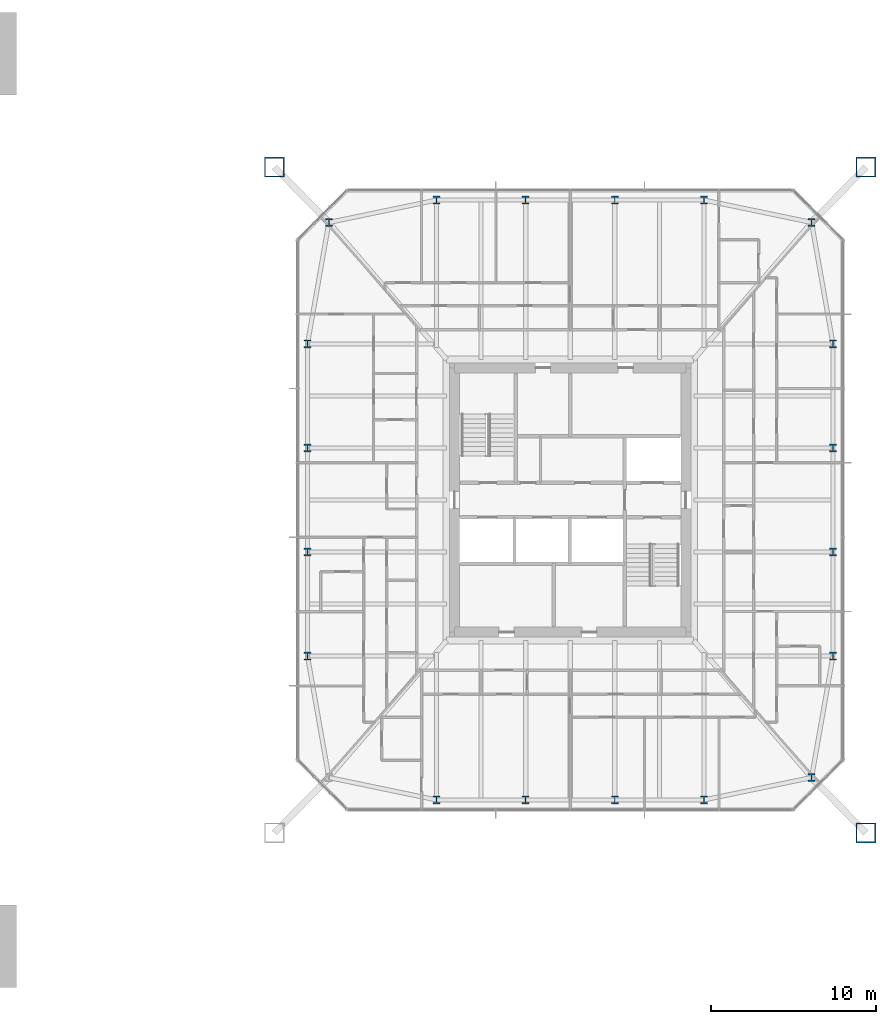
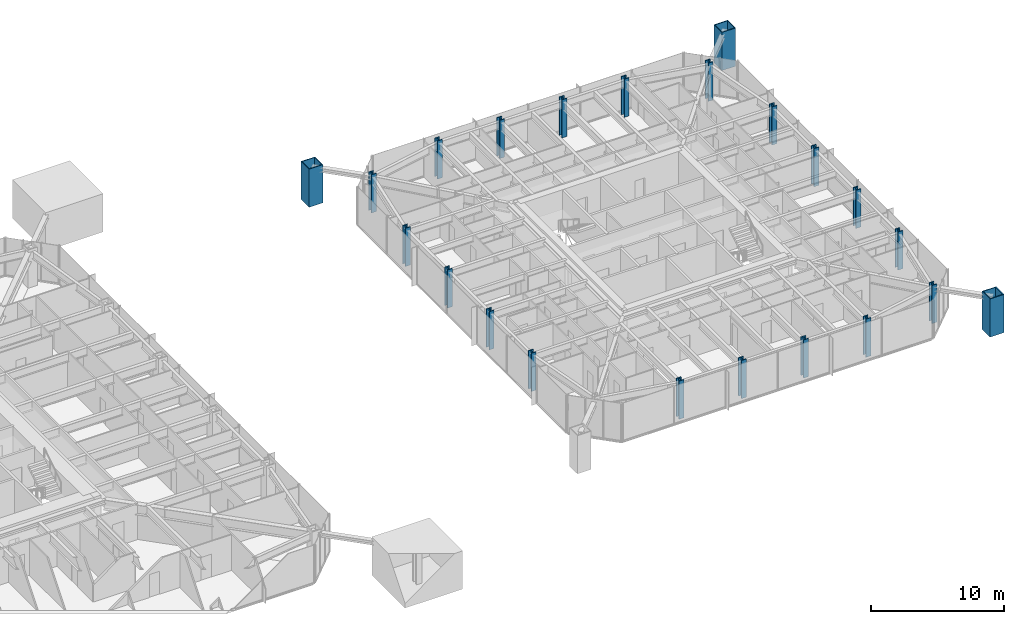
# One storey, part 2 of 26: 22 columns.
"""IFC4 building model written with IfcOpenShell, lengths in metres."""

from ifc_helpers import new_model, si_unit, direction, frame, origin, origin_2d, place, context, subcontext, project, spatial, hollow_rectangle, i_section, extrude, material, material_profile, profile_set, type_object, element, save


model = new_model("IFC4")

# Units and contexts
model_context = context("Model", 3, precision=1e-05, world=origin(), true_north=direction((0.0, 1.0)))
body_context = subcontext(model_context, "Body", "Model", "MODEL_VIEW")
ifc_project = project(units=[si_unit("LENGTHUNIT", "METRE"), si_unit("AREAUNIT", "SQUARE_METRE"), si_unit("VOLUMEUNIT", "CUBIC_METRE"), si_unit("PLANEANGLEUNIT", "RADIAN"), si_unit("MASSUNIT", "GRAM", prefix="KILO")], contexts=[model_context])

# Site, building, storey
site_placement = place(None, origin())
site = spatial("IfcSite", under=ifc_project, at=site_placement, CompositionType="ELEMENT")
building_placement = place(site_placement, origin())
building = spatial("IfcBuilding", under=site, at=building_placement, Name="Iwan Alto Co-Living Towers", CompositionType="ELEMENT")
storey_placement = place(building_placement, frame((0.0, 0.0, 46.5)))
storey = spatial("IfcBuildingStorey", under=building, at=storey_placement, Name="L12", CompositionType="ELEMENT", Elevation=46.5)

# Columns
ifc_material_1 = material(Name="Steel ASTM A572 Gr 50", Category="steel")
ifc_material_profile_1 = material_profile(ifc_material_1, hollow_rectangle(XDim=1.199951171875, YDim=1.199951171875, WallThickness=0.070068359375, at=origin_2d()), Name="BOX 1200X1200X70")
ifc_profile_set_1 = profile_set([ifc_material_profile_1], Name="Steel ASTM A572 Gr 50")
column_type_1 = type_object("IfcColumnType", Name="T2 MEGA COLUMN BOX 1200X1200X70", PredefinedType="COLUMN", material=ifc_profile_set_1)
for number, where, z_axis, x_axis, name in (
    (1, (80.89990234375, -20.14990234375, 0.0), (0.0, 0.0, 1.0), (1.0, 0.0, 0.0), "T2 mega column SE L12"),
    (2, (80.89990234375, 20.14990234375, 0.0), (0.0, 0.0, 1.0), (1.0, 0.0, 0.0), "T2 mega column NE L12"),
    (3, (45.10009765625, 20.14990234375, 0.0), (0.0, 0.0, 1.0), (1.0, 0.0, 0.0), "T2 mega column NW L12"),
):
    element("IfcColumn", number, at=place(storey_placement, frame(where, z_axis=z_axis, x_axis=x_axis)), inside=storey, type_object=column_type_1, Name=name, PredefinedType="COLUMN", context=body_context, shape_type="SweptSolid", body=[
        extrude(hollow_rectangle(XDim=1.199951171875, YDim=1.199951171875, WallThickness=0.070068359375, at=origin_2d()), origin(), (0.0, 0.0, 1.0), 3.5),
    ])
ifc_material_2 = material(Name="Steel ASTM A992 Gr 50", Category="steel")
ifc_material_profile_2 = material_profile(ifc_material_2, i_section(OverallWidth=0.424072265625, OverallDepth=0.47509765625, WebThickness=0.0478515625, FlangeThickness=0.0771484375, at=origin_2d()), Name="W14X426")
ifc_profile_set_2 = profile_set([ifc_material_profile_2], Name="Steel ASTM A992 Gr 50")
column_type_2 = type_object("IfcColumnType", Name="T2 RING COLUMN W14X426", PredefinedType="COLUMN", material=ifc_profile_set_2)
for number, where, z_axis, x_axis, name in (
    (4, (54.89990234375, -18.14990234375, 0.0), (0.0, 0.0, 1.0), (1.0, 0.0, 0.0), "T2 ring column S1 L12"),
    (5, (60.300048828125, -18.14990234375, 0.0), (0.0, 0.0, 1.0), (1.0, 0.0, 0.0), "T2 ring column S2 L12"),
    (6, (65.699951171875, -18.14990234375, 0.0), (0.0, 0.0, 1.0), (1.0, 0.0, 0.0), "T2 ring column S3 L12"),
    (7, (71.10009765625, -18.14990234375, 0.0), (0.0, 0.0, 1.0), (1.0, 0.0, 0.0), "T2 ring column S4 L12"),
    (8, (77.606201171875, -16.797119140625, 0.0), (0.0, 0.0, 1.0), (1.0, 0.0, 0.0), "T2 ring column CSE L12"),
    (9, (78.89990234375, -9.449951171875, 0.0), (0.0, 0.0, 1.0), (1.0, 0.0, 0.0), "T2 ring column E1 L12"),
    (10, (78.89990234375, -3.14990234375, 0.0), (0.0, 0.0, 1.0), (1.0, 0.0, 0.0), "T2 ring column E2 L12"),
    (11, (78.89990234375, 3.14990234375, 0.0), (0.0, 0.0, 1.0), (1.0, 0.0, 0.0), "T2 ring column E3 L12"),
    (12, (78.89990234375, 9.449951171875, 0.0), (0.0, 0.0, 1.0), (1.0, 0.0, 0.0), "T2 ring column E4 L12"),
    (13, (77.606201171875, 16.797119140625, 0.0), (0.0, 0.0, 1.0), (1.0, 0.0, 0.0), "T2 ring column CNE L12"),
    (14, (71.10009765625, 18.14990234375, 0.0), (0.0, 0.0, 1.0), (1.0, 0.0, 0.0), "T2 ring column N1 L12"),
    (15, (65.699951171875, 18.14990234375, 0.0), (0.0, 0.0, 1.0), (1.0, 0.0, 0.0), "T2 ring column N2 L12"),
    (16, (60.300048828125, 18.14990234375, 0.0), (0.0, 0.0, 1.0), (1.0, 0.0, 0.0), "T2 ring column N3 L12"),
    (17, (54.89990234375, 18.14990234375, 0.0), (0.0, 0.0, 1.0), (1.0, 0.0, 0.0), "T2 ring column N4 L12"),
    (18, (48.393798828125, 16.797119140625, 0.0), (0.0, 0.0, 1.0), (1.0, 0.0, 0.0), "T2 ring column CNW L12"),
    (19, (47.10009765625, 9.449951171875, 0.0), (0.0, 0.0, 1.0), (1.0, 0.0, 0.0), "T2 ring column W1 L12"),
    (20, (47.10009765625, 3.14990234375, 0.0), (0.0, 0.0, 1.0), (1.0, 0.0, 0.0), "T2 ring column W2 L12"),
    (21, (47.10009765625, -3.14990234375, 0.0), (0.0, 0.0, 1.0), (1.0, 0.0, 0.0), "T2 ring column W3 L12"),
    (22, (47.10009765625, -9.449951171875, 0.0), (0.0, 0.0, 1.0), (1.0, 0.0, 0.0), "T2 ring column W4 L12"),
):
    element("IfcColumn", number, at=place(storey_placement, frame(where, z_axis=z_axis, x_axis=x_axis)), inside=storey, type_object=column_type_2, Name=name, PredefinedType="COLUMN", context=body_context, shape_type="SweptSolid", body=[
        extrude(i_section(OverallWidth=0.424072265625, OverallDepth=0.47509765625, WebThickness=0.0478515625, FlangeThickness=0.0771484375, at=origin_2d()), origin(), (0.0, 0.0, 1.0), 3.5),
    ])

save(model, "model.ifc")
